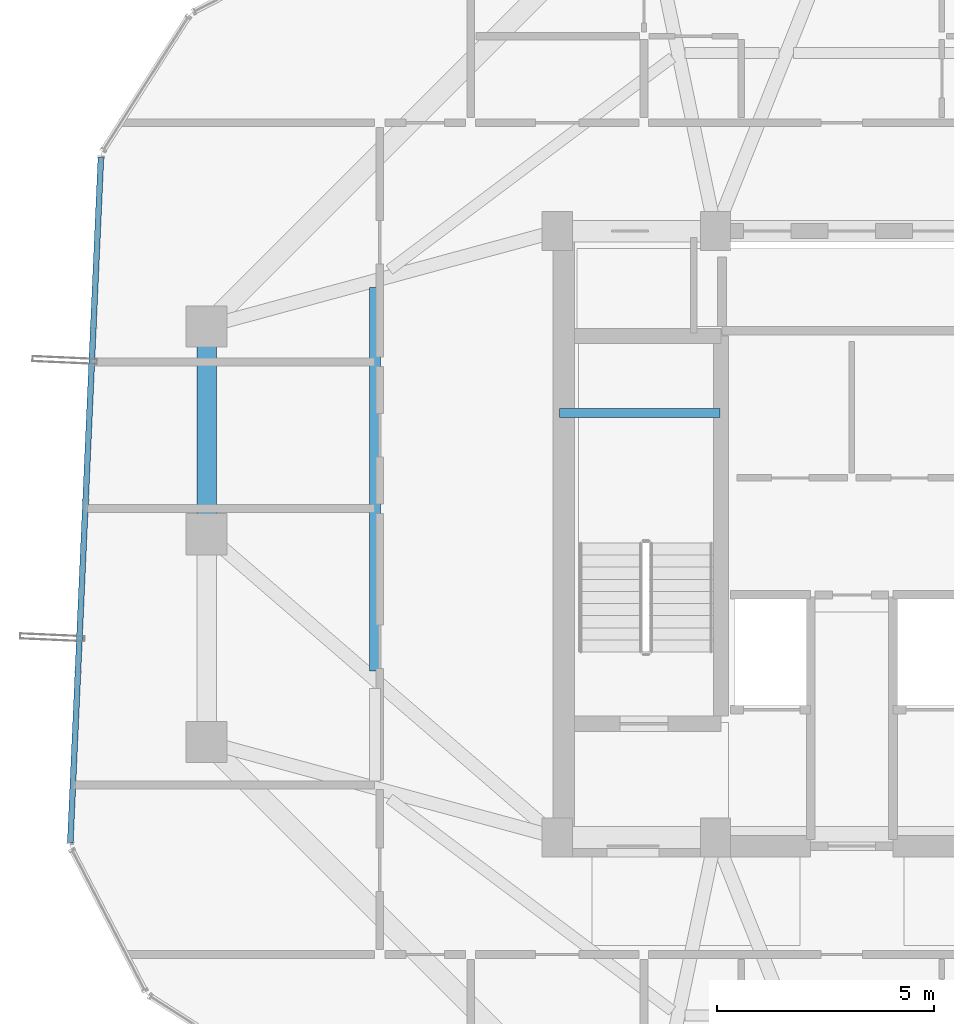
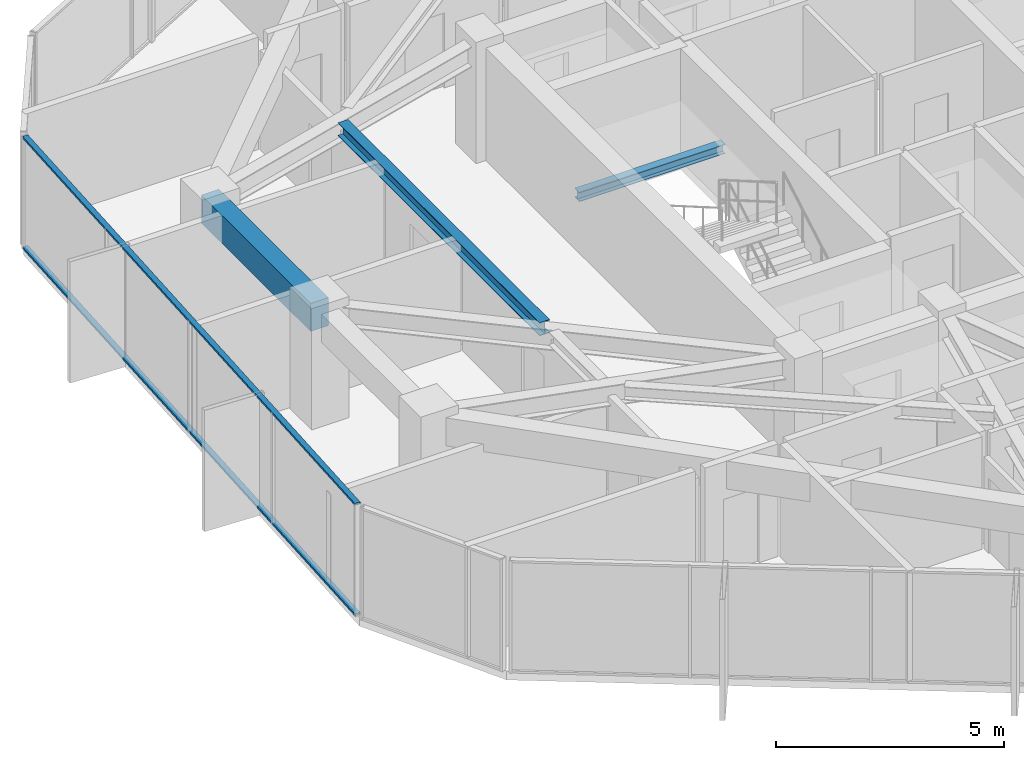
# One storey, part 12 of 29: 3 beams, 2 members, 1 element without a shape of its own.
"""IFC4 building model written with IfcOpenShell, lengths in metres."""

from ifc_helpers import new_model, si_unit, direction, frame, origin, origin_2d, place, context, subcontext, project, spatial, rectangle, hollow_rectangle, i_section, extrude, source, transform, mapped, material, layer, layer_set, material_profile, profile_set, type_object, element, aggregate, save


model = new_model("IFC4")

# Units and contexts
model_context = context("Model", 3, precision=1e-05, world=origin(), true_north=direction((0.0, 1.0)))
body_context = subcontext(model_context, "Body", "Model", "MODEL_VIEW")
ifc_project = project(units=[si_unit("LENGTHUNIT", "METRE"), si_unit("AREAUNIT", "SQUARE_METRE"), si_unit("VOLUMEUNIT", "CUBIC_METRE"), si_unit("PLANEANGLEUNIT", "RADIAN"), si_unit("MASSUNIT", "GRAM", prefix="KILO")], contexts=[model_context])

# Site, building, storey
site_placement = place(None, origin())
site = spatial("IfcSite", under=ifc_project, at=site_placement, CompositionType="ELEMENT")
building_placement = place(site_placement, origin())
building = spatial("IfcBuilding", under=site, at=building_placement, Name="Veraguas Prism Commons", CompositionType="ELEMENT")
storey_placement = place(building_placement, frame((0.0, 0.0, 215.64990234375)))
storey = spatial("IfcBuildingStorey", under=building, at=storey_placement, Name="L61", CompositionType="ELEMENT", Elevation=215.64990234375)

# Beams
ifc_material_1 = material(Name="Concrete C50/60", Category="concrete")
ifc_material_profile_1 = material_profile(ifc_material_1, rectangle(XDim=0.449951171875, YDim=0.75, at=origin_2d()), Name="RC450X750")
ifc_profile_set_1 = profile_set([ifc_material_profile_1], Name="Concrete C50/60")
beam_type_1 = type_object("IfcBeamType", Name="Perimeter Spandrel Upper RC 450x750", PredefinedType="SPANDREL", material=ifc_profile_set_1)
beam_1_placement = place(storey_placement, frame((9.10009765625, 28.800048828125, 2.64013671875), z_axis=(0.0, -1.0, 0.0), x_axis=(1.0, 0.0, 0.0)))
element("IfcBeam", 1, at=beam_1_placement, inside=storey, type_object=beam_type_1, Name="Perimeter Spandrel Beam L61-SP07", PredefinedType="SPANDREL", context=body_context, shape_type="SweptSolid", body=[
    extrude(rectangle(XDim=0.449951171875, YDim=0.75, at=origin_2d()), origin(), (0.0, 0.0, 1.0), 4.800048828125),
])
ifc_material_2 = material(Name="Steel ASTM A992 Grade 50", Category="steel")
ifc_material_profile_2 = material_profile(ifc_material_2, i_section(OverallWidth=0.202880859375, OverallDepth=0.251953125, WebThickness=0.008056640625, FlangeThickness=0.013427734375, at=origin_2d()), Name="W250X58")
ifc_profile_set_2 = profile_set([ifc_material_profile_2], Name="Steel ASTM A992 Grade 50")
beam_type_2 = type_object("IfcBeamType", Name="Structural Opening Lintel W250x58", PredefinedType="LINTEL", material=ifc_profile_set_2)
beam_2_placement = place(storey_placement, frame((17.25, 26.800048828125, 1.299072265625), z_axis=(1.0, 0.0, 0.0), x_axis=(0.0, 1.0, 0.0)))
element("IfcBeam", 2, at=beam_2_placement, inside=storey, type_object=beam_type_2, Name="Stair ST-01 Half-Landing Support Beam L61-1", PredefinedType="LINTEL", context=body_context, shape_type="SweptSolid", body=[
    extrude(i_section(OverallWidth=0.202880859375, OverallDepth=0.251953125, WebThickness=0.008056640625, FlangeThickness=0.013427734375, at=origin_2d()), origin(), (0.0, 0.0, 1.0), 3.699951171875),
])
ifc_material_profile_3 = material_profile(ifc_material_2, i_section(OverallWidth=0.25390625, OverallDepth=0.35302734375, WebThickness=0.009521484375, FlangeThickness=0.016357421875, at=origin_2d()), Name="W360X91")
ifc_profile_set_3 = profile_set([ifc_material_profile_3], Name="Steel ASTM A992 Grade 50")
beam_type_3 = type_object("IfcBeamType", Name="Upper Floor Joist W360x91", PredefinedType="JOIST", material=ifc_profile_set_3)
beam_3_placement = place(storey_placement, frame((12.988037109375, 29.697021484375, 2.838623046875), z_axis=(0.0, -1.0, 0.0), x_axis=(1.0, 0.0, 0.0)))
element("IfcBeam", 3, at=beam_3_placement, inside=storey, type_object=beam_type_3, Name="Composite Floor Joist L61-JS07", PredefinedType="JOIST", context=body_context, shape_type="SweptSolid", body=[
    extrude(i_section(OverallWidth=0.25390625, OverallDepth=0.35302734375, WebThickness=0.009521484375, FlangeThickness=0.016357421875, at=origin_2d()), origin(), (0.0, 0.0, 1.0), 8.85400390625),
])

# Curtain wall, members
ifc_material_3 = material(Name="Anodised aluminium EN AW-6063 T6", Category="aluminium")
ifc_layer = layer(ifc_material_3, 0.14990234375, Name="Unitised Flush Curtain Wall Zone 3", Category="aluminium")
ifc_layer_set = layer_set([ifc_layer], Name="Anodised aluminium EN AW-6063 T6")
curtain_wall_type = type_object("IfcCurtainWallType", Name="Unitised Flush Curtain Wall Zone 3", PredefinedType="NOTDEFINED", material=ifc_layer_set)
curtain_wall_placement = place(storey_placement, origin())
curtain_wall = element("IfcCurtainWall", 4, at=curtain_wall_placement, inside=storey, type_object=curtain_wall_type, Name="Tower Facade Curtain Wall L61-F3", PredefinedType="NOTDEFINED")
ifc_material_profile_4 = material_profile(ifc_material_3, hollow_rectangle(XDim=0.054931640625, YDim=0.135009765625, WallThickness=0.0029296875, at=origin_2d()), Name="AL55X135X3")
ifc_profile_set_4 = profile_set([ifc_material_profile_4], Name="Anodised aluminium EN AW-6063 T6")
member_type = type_object("IfcMemberType", Name="Curtain Wall Transom Standard AL 55x135x3", PredefinedType="USERDEFINED", material=ifc_profile_set_4)
shared_shape = source(origin(), body_context, "Body", "SweptSolid", [
    extrude(hollow_rectangle(XDim=0.054931640625, YDim=0.135009765625, WallThickness=0.0029296875, at=origin_2d()), origin(), (0.0, 0.0, 1.0), 15.842529296875),
])
member_1_placement = place(storey_placement, frame((6.661376953125, 32.704345703125, 0.027587890625), z_axis=(-0.04467506177, -0.999001570998, 0.0), x_axis=(0.0, 0.0, 1.0)))
member_1 = element("IfcMember", 5, at=member_1_placement, type_object=member_type, Name="CW-Z3 Transom 1", ObjectType="TRANSOM", PredefinedType="USERDEFINED", context=body_context, shape_type="MappedRepresentation", body=[
    mapped(shared_shape, transform((0.0, 0.0, 0.0), scale=1.0)),
])
member_2_placement = place(storey_placement, frame((6.661376953125, 32.704345703125, 2.987548828125), z_axis=(-0.04467506177, -0.999001570998, 0.0), x_axis=(0.0, 0.0, 1.0)))
member_2 = element("IfcMember", 6, at=member_2_placement, type_object=member_type, Name="CW-Z3 Transom 2", ObjectType="TRANSOM", PredefinedType="USERDEFINED", context=body_context, shape_type="MappedRepresentation", body=[
    mapped(shared_shape, transform((0.0, 0.0, 0.0), scale=1.0)),
])
aggregate(curtain_wall, [member_1, member_2])

save(model, "model.ifc")
